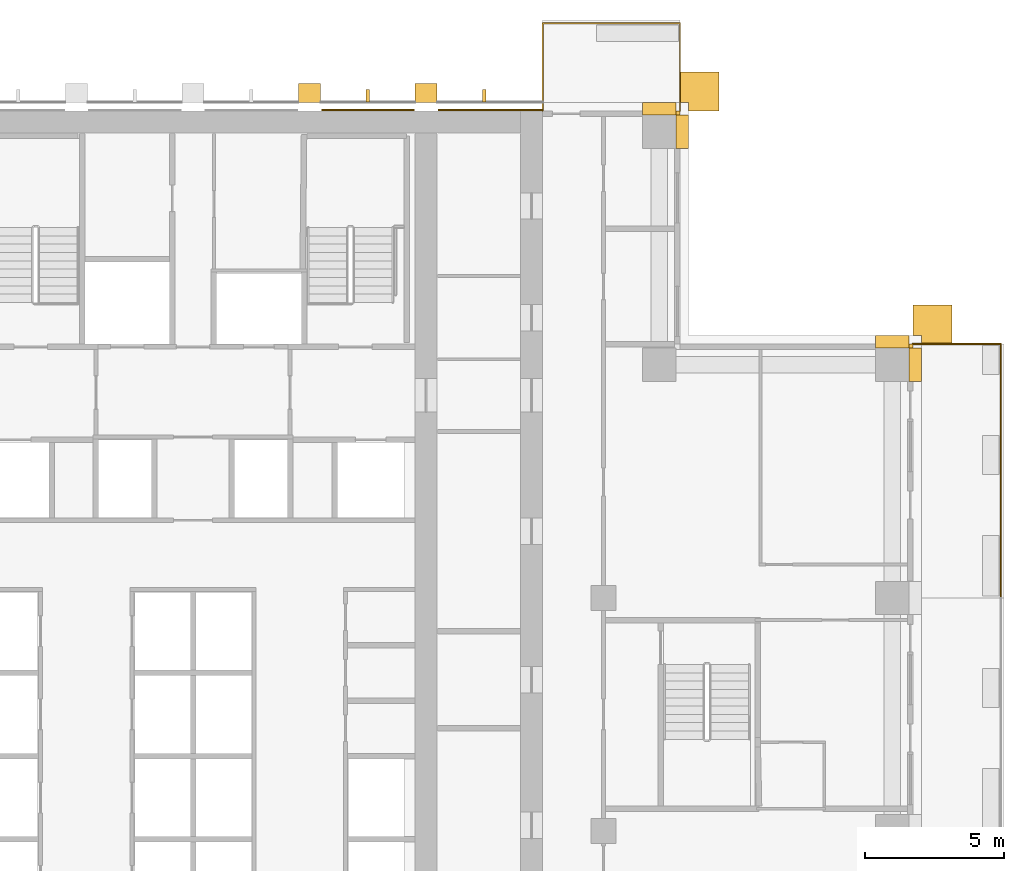
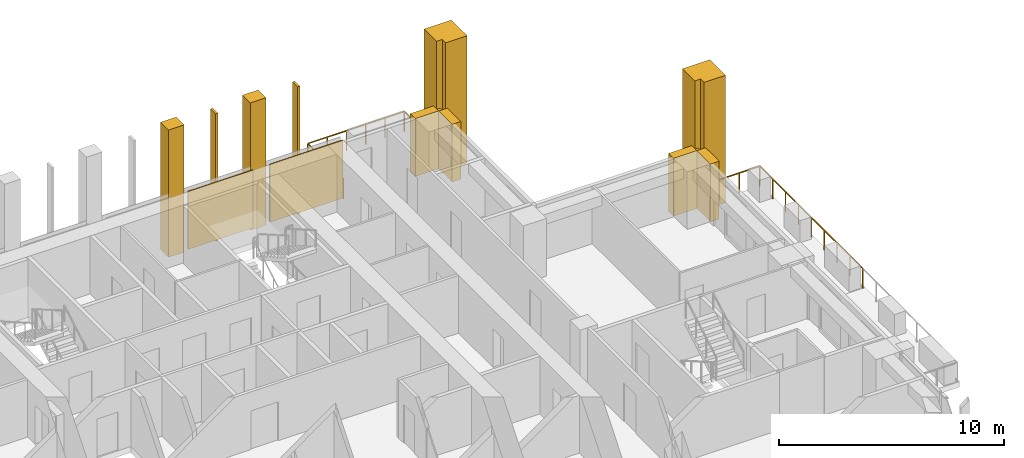
# One storey, part 17 of 17: 14 coverings, 2 railings.
"""IFC4 building model written with IfcOpenShell, lengths in metres."""

from ifc_helpers import new_model, si_unit, direction, frame, origin, origin_2d, place, context, subcontext, project, spatial, polyline, rectangle, outline, extrude, material, layer, layer_set, type_object, element, save


model = new_model("IFC4")

# Units and contexts
model_context = context("Model", 3, precision=1e-05, world=origin(), true_north=direction((0.0, 1.0)))
body_context = subcontext(model_context, "Body", "Model", "MODEL_VIEW")
ifc_project = project(units=[si_unit("LENGTHUNIT", "METRE"), si_unit("AREAUNIT", "SQUARE_METRE"), si_unit("VOLUMEUNIT", "CUBIC_METRE"), si_unit("PLANEANGLEUNIT", "RADIAN"), si_unit("MASSUNIT", "GRAM", prefix="KILO")], contexts=[model_context])

# Site, building, storey
site_placement = place(None, origin())
site = spatial("IfcSite", under=ifc_project, at=site_placement, CompositionType="ELEMENT")
building_placement = place(site_placement, origin())
building = spatial("IfcBuilding", under=site, at=building_placement, Name="Vermilion Ogive Tower", CompositionType="ELEMENT")
storey_placement = place(building_placement, frame((0.0, 0.0, 97.64990234375)))
storey = spatial("IfcBuildingStorey", under=building, at=storey_placement, Name="L24", CompositionType="ELEMENT", Elevation=97.64990234375)

# Railings
ifc_material_1 = material(Name="Stainless steel and glass", Category="steel")
railing_type = type_object("IfcRailingType", Name="Balcony guard", PredefinedType="GUARDRAIL", material=ifc_material_1)
railing_1_placement = place(storey_placement, frame((29.110107421875, 4.199951171875, -0.039794921875)))
element("IfcRailing", 1, at=railing_1_placement, inside=storey, type_object=railing_type, Name="Guard E03", PredefinedType="GUARDRAIL", context=body_context, shape_type="SweptSolid", body=[
    extrude(rectangle(XDim=0.048095703125, YDim=0.048095703125, at=origin_2d()), frame((0.0, 0.0, 1.076171875), z_axis=(0.0, 1.0, 0.0), x_axis=(-1.0, 0.0, 0.0)), (0.0, 0.0, 1.0), 9.150146484375),
    extrude(rectangle(XDim=0.048095703125, YDim=0.048095703125, at=origin_2d()), frame((0.0, 9.150146484375, 1.076171875), z_axis=(-1.0, 0.0, 0.0), x_axis=(0.0, -1.0, 0.0)), (0.0, 0.0, 1.0), 3.16015625),
    extrude(rectangle(XDim=0.0419921875, YDim=0.0419921875, at=origin_2d()), origin(), (0.0, 0.0, 1.0), 1.052001953125),
    extrude(rectangle(XDim=0.0419921875, YDim=0.0419921875, at=origin_2d()), frame((0.0, 1.143798828125, 0.0)), (0.0, 0.0, 1.0), 1.052001953125),
    extrude(rectangle(XDim=0.0419921875, YDim=0.0419921875, at=origin_2d()), frame((0.0, 2.28759765625, 0.0)), (0.0, 0.0, 1.0), 1.052001953125),
    extrude(rectangle(XDim=0.0419921875, YDim=0.0419921875, at=origin_2d()), frame((0.0, 3.431396484375, 0.0)), (0.0, 0.0, 1.0), 1.052001953125),
    extrude(rectangle(XDim=0.0419921875, YDim=0.0419921875, at=origin_2d()), frame((0.0, 4.5751953125, 0.0)), (0.0, 0.0, 1.0), 1.052001953125),
    extrude(rectangle(XDim=0.0419921875, YDim=0.0419921875, at=origin_2d()), frame((0.0, 5.71875, 0.0)), (0.0, 0.0, 1.0), 1.052001953125),
    extrude(rectangle(XDim=0.0419921875, YDim=0.0419921875, at=origin_2d()), frame((0.0, 6.862548828125, 0.0)), (0.0, 0.0, 1.0), 1.052001953125),
    extrude(rectangle(XDim=0.0419921875, YDim=0.0419921875, at=origin_2d()), frame((0.0, 8.00634765625, 0.0)), (0.0, 0.0, 1.0), 1.052001953125),
    extrude(rectangle(XDim=0.0419921875, YDim=0.0419921875, at=origin_2d()), frame((0.0, 9.150146484375, 0.0)), (0.0, 0.0, 1.0), 1.052001953125),
    extrude(rectangle(XDim=0.0419921875, YDim=0.0419921875, at=origin_2d()), frame((-1.053466796875, 9.150146484375, 0.0)), (0.0, 0.0, 1.0), 1.052001953125),
    extrude(rectangle(XDim=0.0419921875, YDim=0.0419921875, at=origin_2d()), frame((-2.106689453125, 9.150146484375, 0.0)), (0.0, 0.0, 1.0), 1.052001953125),
    extrude(rectangle(XDim=0.0419921875, YDim=0.0419921875, at=origin_2d()), frame((-3.16015625, 9.150146484375, 0.0)), (0.0, 0.0, 1.0), 1.052001953125),
])
railing_2_placement = place(storey_placement, frame((17.550048828125, 21.75, -0.039794921875)))
element("IfcRailing", 2, at=railing_2_placement, inside=storey, type_object=railing_type, Name="Guard N101", PredefinedType="GUARDRAIL", context=body_context, shape_type="SweptSolid", body=[
    extrude(rectangle(XDim=0.048095703125, YDim=0.048095703125, at=origin_2d()), frame((0.0, 0.0, 1.076171875), z_axis=(0.0, 1.0, 0.0), x_axis=(-1.0, 0.0, 0.0)), (0.0, 0.0, 1.0), 3.159912109375),
    extrude(rectangle(XDim=0.048095703125, YDim=0.048095703125, at=origin_2d()), frame((0.0, 3.159912109375, 1.076171875), z_axis=(-1.0, 0.0, 0.0), x_axis=(0.0, -1.0, 0.0)), (0.0, 0.0, 1.0), 4.949951171875),
    extrude(rectangle(XDim=0.048095703125, YDim=0.048095703125, at=origin_2d()), frame((-4.949951171875, 3.159912109375, 1.076171875), z_axis=(0.0, -1.0, 0.0), x_axis=(1.0, 0.0, 0.0)), (0.0, 0.0, 1.0), 3.159912109375),
    extrude(rectangle(XDim=0.0419921875, YDim=0.0419921875, at=origin_2d()), origin(), (0.0, 0.0, 1.0), 1.052001953125),
    extrude(rectangle(XDim=0.0419921875, YDim=0.0419921875, at=origin_2d()), frame((0.0, 1.05322265625, 0.0)), (0.0, 0.0, 1.0), 1.052001953125),
    extrude(rectangle(XDim=0.0419921875, YDim=0.0419921875, at=origin_2d()), frame((0.0, 2.106689453125, 0.0)), (0.0, 0.0, 1.0), 1.052001953125),
    extrude(rectangle(XDim=0.0419921875, YDim=0.0419921875, at=origin_2d()), frame((0.0, 3.159912109375, 0.0)), (0.0, 0.0, 1.0), 1.052001953125),
    extrude(rectangle(XDim=0.0419921875, YDim=0.0419921875, at=origin_2d()), frame((-0.989990234375, 3.159912109375, 0.0)), (0.0, 0.0, 1.0), 1.052001953125),
    extrude(rectangle(XDim=0.0419921875, YDim=0.0419921875, at=origin_2d()), frame((-1.97998046875, 3.159912109375, 0.0)), (0.0, 0.0, 1.0), 1.052001953125),
    extrude(rectangle(XDim=0.0419921875, YDim=0.0419921875, at=origin_2d()), frame((-2.969970703125, 3.159912109375, 0.0)), (0.0, 0.0, 1.0), 1.052001953125),
    extrude(rectangle(XDim=0.0419921875, YDim=0.0419921875, at=origin_2d()), frame((-3.9599609375, 3.159912109375, 0.0)), (0.0, 0.0, 1.0), 1.052001953125),
    extrude(rectangle(XDim=0.0419921875, YDim=0.0419921875, at=origin_2d()), frame((-4.949951171875, 3.159912109375, 0.0)), (0.0, 0.0, 1.0), 1.052001953125),
    extrude(rectangle(XDim=0.0419921875, YDim=0.0419921875, at=origin_2d()), frame((-4.949951171875, 2.106689453125, 0.0)), (0.0, 0.0, 1.0), 1.052001953125),
    extrude(rectangle(XDim=0.0419921875, YDim=0.0419921875, at=origin_2d()), frame((-4.949951171875, 1.05322265625, 0.0)), (0.0, 0.0, 1.0), 1.052001953125),
    extrude(rectangle(XDim=0.0419921875, YDim=0.0419921875, at=origin_2d()), frame((-4.949951171875, 0.0, 0.0)), (0.0, 0.0, 1.0), 1.052001953125),
])

# Coverings
ifc_material_2 = material(Name="Glazed ceramic screen")
ifc_layer = layer(ifc_material_2, 0.14990234375)
ifc_layer_set = layer_set([ifc_layer], Name="Ceramic solar screen fin")
covering_type_1 = type_object("IfcCoveringType", Name="Ceramic solar screen fin", PredefinedType="CLADDING", material=ifc_layer_set)
covering_1_placement = place(storey_placement, frame((0.0, 0.0, -0.31982421875)))
element("IfcCovering", 3, at=covering_1_placement, inside=storey, type_object=covering_type_1, Name="Solar screen blade N5", PredefinedType="CLADDING", context=body_context, shape_type="SweptSolid", body=[
    extrude(outline(polyline([(6.239990234375, 22.08203125), (6.360107421875, 22.08203125), (6.360107421875, 22.531982421875), (6.239990234375, 22.531982421875), (6.239990234375, 22.08203125)])), origin(), (0.0, 0.0, 1.0), 6.89990234375),
])
covering_2_placement = place(storey_placement, frame((0.0, 0.0, -0.31982421875)))
element("IfcCovering", 4, at=covering_2_placement, inside=storey, type_object=covering_type_1, Name="Solar screen blade N6", PredefinedType="CLADDING", context=body_context, shape_type="SweptSolid", body=[
    extrude(outline(polyline([(10.43994140625, 22.08203125), (10.56005859375, 22.08203125), (10.56005859375, 22.531982421875), (10.43994140625, 22.531982421875), (10.43994140625, 22.08203125)])), origin(), (0.0, 0.0, 1.0), 6.89990234375),
])
ifc_material_3 = material(Name="Stone cladding", Category="masonry")
covering_type_2 = type_object("IfcCoveringType", Name="Stone buttress pier", PredefinedType="CLADDING", material=ifc_material_3)
covering_3_placement = place(storey_placement, frame((0.0, 0.0, -0.31982421875)))
element("IfcCovering", 5, at=covering_3_placement, inside=storey, type_object=covering_type_2, Name="Stone buttress pier N4", PredefinedType="CLADDING", context=body_context, shape_type="SweptSolid", body=[
    extrude(outline(polyline([(4.60009765625, 22.75), (4.60009765625, 22.050048828125), (3.800048828125, 22.050048828125), (3.800048828125, 22.75), (4.60009765625, 22.75)])), origin(), (0.0, 0.0, 1.0), 6.89990234375),
])
covering_4_placement = place(storey_placement, frame((0.0, 0.0, -0.31982421875)))
element("IfcCovering", 6, at=covering_4_placement, inside=storey, type_object=covering_type_2, Name="Stone buttress pier N5", PredefinedType="CLADDING", context=body_context, shape_type="SweptSolid", body=[
    extrude(outline(polyline([(8.800048828125, 22.75), (8.800048828125, 22.050048828125), (8.0, 22.050048828125), (8.0, 22.75), (8.800048828125, 22.75)])), origin(), (0.0, 0.0, 1.0), 6.89990234375),
])
ifc_material_4 = material(Name="Stone cladding", Category="masonry")
covering_type_3 = type_object("IfcCoveringType", Name="Stone cladding panel", PredefinedType="CLADDING", material=ifc_material_4)
covering_5_placement = place(storey_placement, origin())
element("IfcCovering", 7, at=covering_5_placement, inside=storey, type_object=covering_type_3, Name="Stone cladding panel N5", PredefinedType="CLADDING", context=body_context, shape_type="SweptSolid", body=[
    extrude(outline(polyline([(4.6298828125, 21.75), (7.969970703125, 21.75), (7.969970703125, 21.81005859375), (4.6298828125, 21.81005859375), (4.6298828125, 21.75)])), origin(), (0.0, 0.0, 1.0), 3.130126953125),
])
covering_6_placement = place(storey_placement, origin())
element("IfcCovering", 8, at=covering_6_placement, inside=storey, type_object=covering_type_3, Name="Stone cladding panel N6", PredefinedType="CLADDING", context=body_context, shape_type="SweptSolid", body=[
    extrude(outline(polyline([(8.830078125, 21.75), (12.590087890625, 21.75), (12.590087890625, 21.81005859375), (8.830078125, 21.81005859375), (8.830078125, 21.75)])), origin(), (0.0, 0.0, 1.0), 3.130126953125),
])
ifc_material_5 = material(Name="Stone cladding", Category="masonry")
covering_type_4 = type_object("IfcCoveringType", Name="Stone corner buttress", PredefinedType="CLADDING", material=ifc_material_5)
covering_7_placement = place(storey_placement, frame((0.0, 0.0, -0.31982421875)))
element("IfcCovering", 9, at=covering_7_placement, inside=storey, type_object=covering_type_4, Name="Stone corner buttress X31", PredefinedType="CLADDING", context=body_context, shape_type="SweptSolid", body=[
    extrude(outline(polyline([(27.35009765625, 13.35009765625), (26.25, 13.35009765625), (26.25, 13.64990234375), (25.949951171875, 13.64990234375), (25.949951171875, 14.75), (27.35009765625, 14.75), (27.35009765625, 13.35009765625)])), origin(), (0.0, 0.0, 1.0), 6.89990234375),
])
covering_8_placement = place(storey_placement, frame((0.0, 0.0, -0.31982421875)))
element("IfcCovering", 10, at=covering_8_placement, inside=storey, type_object=covering_type_4, Name="Stone corner buttress N11", PredefinedType="CLADDING", context=body_context, shape_type="SweptSolid", body=[
    extrude(outline(polyline([(17.85009765625, 22.050048828125), (17.550048828125, 22.050048828125), (17.550048828125, 23.14990234375), (18.949951171875, 23.14990234375), (18.949951171875, 21.75), (17.85009765625, 21.75), (17.85009765625, 22.050048828125)])), origin(), (0.0, 0.0, 1.0), 6.89990234375),
])
ifc_material_6 = material(Name="Stone cladding", Category="masonry")
covering_type_5 = type_object("IfcCoveringType", Name="Stone pier", PredefinedType="CLADDING", material=ifc_material_6)
covering_9_placement = place(storey_placement, origin())
element("IfcCovering", 11, at=covering_9_placement, inside=storey, type_object=covering_type_5, Name="Stone corner pier EE1", PredefinedType="CLADDING", context=body_context, shape_type="SweptSolid", body=[
    extrude(outline(polyline([(25.949951171875, 13.199951171875), (25.800048828125, 13.199951171875), (25.800048828125, 13.35009765625), (25.949951171875, 13.35009765625), (25.949951171875, 13.199951171875)])), origin(), (0.0, 0.0, 1.0), 3.130126953125),
])
covering_10_placement = place(storey_placement, origin())
element("IfcCovering", 12, at=covering_10_placement, inside=storey, type_object=covering_type_5, Name="Stone corner pier X4E1", PredefinedType="CLADDING", context=body_context, shape_type="SweptSolid", body=[
    extrude(outline(polyline([(17.550048828125, 21.60009765625), (17.39990234375, 21.60009765625), (17.39990234375, 21.60009765625), (17.39990234375, 21.75), (17.550048828125, 21.75), (17.550048828125, 21.60009765625)])), origin(), (0.0, 0.0, 1.0), 3.130126953125),
])
covering_11_placement = place(storey_placement, origin())
element("IfcCovering", 13, at=covering_11_placement, inside=storey, type_object=covering_type_5, Name="Stone pier P+0168+210X4", PredefinedType="CLADDING", context=body_context, shape_type="SweptSolid", body=[
    extrude(outline(polyline([(17.85009765625, 21.60009765625), (17.85009765625, 20.39990234375), (17.39990234375, 20.39990234375), (17.39990234375, 21.60009765625), (17.85009765625, 21.60009765625)])), origin(), (0.0, 0.0, 1.0), 3.130126953125),
])
covering_12_placement = place(storey_placement, origin())
element("IfcCovering", 14, at=covering_12_placement, inside=storey, type_object=covering_type_5, Name="Stone pier P+0168+210N1", PredefinedType="CLADDING", context=body_context, shape_type="SweptSolid", body=[
    extrude(outline(polyline([(17.39990234375, 22.050048828125), (17.39990234375, 21.60009765625), (16.199951171875, 21.60009765625), (16.199951171875, 22.050048828125), (17.39990234375, 22.050048828125)])), origin(), (0.0, 0.0, 1.0), 3.130126953125),
])
covering_13_placement = place(storey_placement, origin())
element("IfcCovering", 15, at=covering_13_placement, inside=storey, type_object=covering_type_5, Name="Stone pier P+0252+126E", PredefinedType="CLADDING", context=body_context, shape_type="SweptSolid", body=[
    extrude(outline(polyline([(25.800048828125, 13.199951171875), (25.800048828125, 13.199951171875), (26.25, 13.199951171875), (26.25, 12.0), (25.800048828125, 12.0), (25.800048828125, 12.0), (25.800048828125, 13.199951171875)])), origin(), (0.0, 0.0, 1.0), 3.130126953125),
])
covering_14_placement = place(storey_placement, origin())
element("IfcCovering", 16, at=covering_14_placement, inside=storey, type_object=covering_type_5, Name="Stone pier P+0252+126X3", PredefinedType="CLADDING", context=body_context, shape_type="SweptSolid", body=[
    extrude(outline(polyline([(25.800048828125, 13.64990234375), (25.800048828125, 13.199951171875), (25.800048828125, 13.199951171875), (24.60009765625, 13.199951171875), (24.60009765625, 13.64990234375), (25.800048828125, 13.64990234375)])), origin(), (0.0, 0.0, 1.0), 3.130126953125),
])

save(model, "model.ifc")
